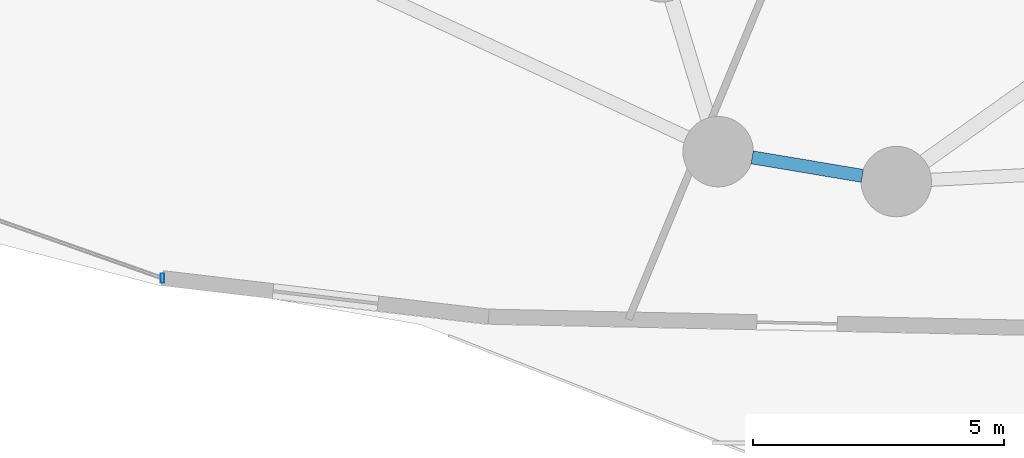
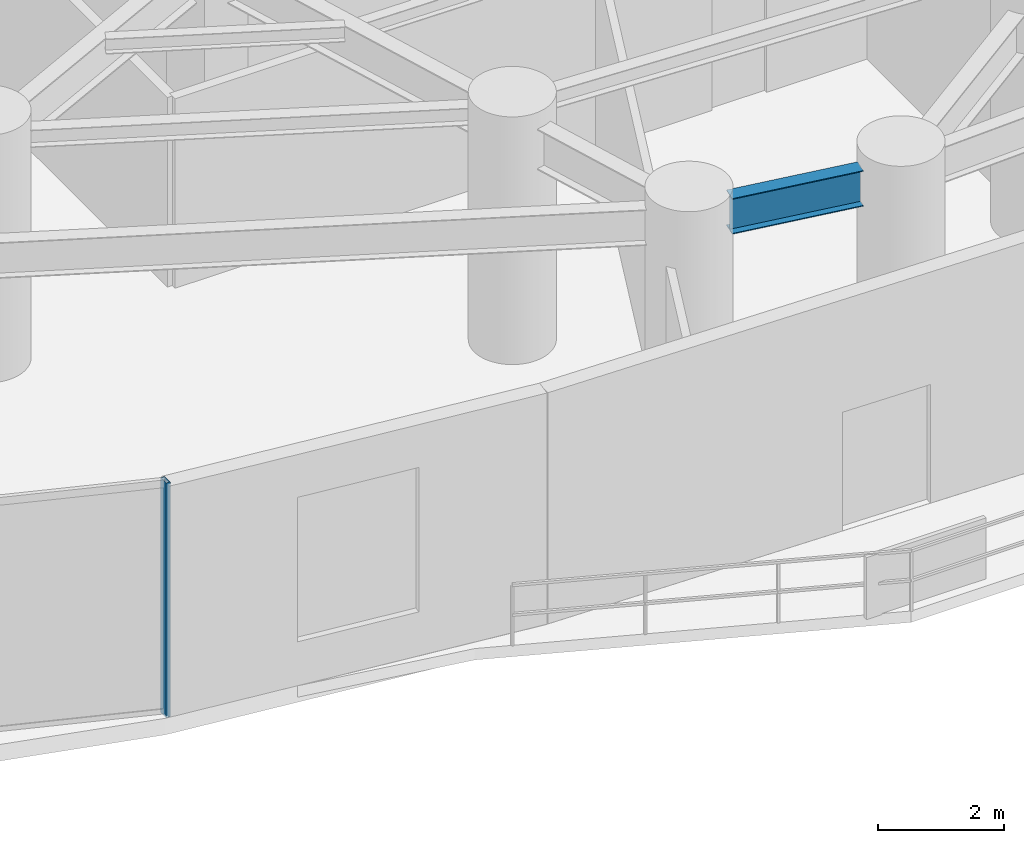
# One storey, part 5 of 30: 1 beam, 1 member, 1 element without a shape of its own.
"""IFC4 building model written with IfcOpenShell, lengths in metres."""

import ifcopenshell
import ifcopenshell.guid

model = None  # the IFC model being written
_history = None  # IfcOwnerHistory: only IFC2X3 demands one
_inside = {}  # id of a spatial element -> (the spatial element, [elements in it])
_under = {}  # id of a project, library or spatial element -> (it, [spatial elements below it])
_declared = {}  # id of a project -> (the project, [libraries it declares])
_typed = {}  # id of a type object -> (the type object, [elements of that type])
_made_of = {}  # id of a material, layer set ... -> (it, [elements and type objects made of it])


def new_model(schema):
    """Start an empty IFC model of exactly this schema.

    Asked for "IFC4X3", IfcOpenShell would pick the latest addendum, in which some entities
    have other attributes; the version numbers below select the first issue.
    IFC2X3 requires an IfcOwnerHistory on every rooted entity: one is made here for all.
    """
    global model, _history
    if schema == "IFC4X3":
        model = ifcopenshell.file(schema_version=(4, 3, 0, 0))
    else:
        model = ifcopenshell.file(schema=schema)
    _inside.clear()
    _under.clear()
    _declared.clear()
    _typed.clear()
    _made_of.clear()
    _history = None
    if model.schema == "IFC2X3":
        org = make("IfcOrganization", Name="unknown")
        user = make(
            "IfcPersonAndOrganization",
            ThePerson=make("IfcPerson", FamilyName="unknown"),
            TheOrganization=org,
        )
        app = make(
            "IfcApplication",
            ApplicationDeveloper=org,
            Version="unknown",
            ApplicationFullName="unknown",
            ApplicationIdentifier="unknown",
        )
        _history = make(
            "IfcOwnerHistory",
            OwningUser=user,
            OwningApplication=app,
            ChangeAction="ADDED",
            CreationDate=0,
        )
    return model


def make(cls, **values):
    """One entity of the class cls with the attributes given. An attribute that is None is left unset."""
    return model.create_entity(
        cls, **{name: value for name, value in values.items() if value is not None}
    )


def rooted(cls, **values):
    """An entity with a GlobalId (a new one), such as an element, a storey or a relation."""
    return make(cls, GlobalId=ifcopenshell.guid.new(), OwnerHistory=_history, **values)


def si_unit(unit_type, name, prefix=None):
    """IfcSIUnit, for example si_unit("LENGTHUNIT", "METRE", prefix="MILLI")."""
    return make("IfcSIUnit", UnitType=unit_type, Prefix=prefix, Name=name)


def assignment(units):
    """IfcUnitAssignment: the units of a project."""
    return None if units is None else make("IfcUnitAssignment", Units=units)


def point(xyz):
    """IfcCartesianPoint."""
    return None if xyz is None else make("IfcCartesianPoint", Coordinates=xyz)


def direction(xyz):
    """IfcDirection."""
    return None if xyz is None else make("IfcDirection", DirectionRatios=xyz)


def frame(location, z_axis=None, x_axis=None):
    """IfcAxis2Placement3D, a coordinate frame: its origin and axes. An axis left out is left unset."""
    return make(
        "IfcAxis2Placement3D",
        Location=point(location),
        Axis=direction(z_axis),
        RefDirection=direction(x_axis),
    )


def frame_2d(location, x_axis=None):
    """IfcAxis2Placement2D, a coordinate frame in the plane: its origin and x axis."""
    return make(
        "IfcAxis2Placement2D", Location=point(location), RefDirection=direction(x_axis)
    )


def origin():
    """The frame at (0, 0, 0) with its axes left unset."""
    return frame((0.0, 0.0, 0.0))


def origin_2d():
    """The frame at (0, 0) in the plane with its x axis left unset."""
    return frame_2d((0.0, 0.0))


def place(relative_to, where):
    """IfcLocalPlacement: puts the frame where relative to a parent placement (None: the world)."""
    return make(
        "IfcLocalPlacement", PlacementRelTo=relative_to, RelativePlacement=where
    )


def context(
    kind, dimensions, precision=None, world=None, true_north=None, identifier=None
):
    """IfcGeometricRepresentationContext, for example the 3D "Model" context."""
    return make(
        "IfcGeometricRepresentationContext",
        ContextIdentifier=identifier,
        ContextType=kind,
        CoordinateSpaceDimension=dimensions,
        Precision=precision,
        WorldCoordinateSystem=world,
        TrueNorth=true_north,
    )


def subcontext(parent, identifier, kind, view, scale=None):
    """IfcGeometricRepresentationSubContext, for example "Body" below "Model"."""
    return make(
        "IfcGeometricRepresentationSubContext",
        ContextIdentifier=identifier,
        ContextType=kind,
        ParentContext=parent,
        TargetScale=scale,
        TargetView=view,
    )


def project(units=None, contexts=None):
    """IfcProject with its units and contexts."""
    return rooted(
        "IfcProject",
        Name="project",
        RepresentationContexts=contexts,
        UnitsInContext=assignment(units),
    )


def spatial(cls, under=None, at=None, **own):
    """A site, building, storey or space (cls), placed at a placement, below another one or the project."""
    s = rooted(cls, ObjectPlacement=at, **own)
    if under is not None:
        _under.setdefault(under.id(), (under, []))[1].append(s)
    return s


def profile(cls, at=None, kind="AREA", **sizes):
    """A parametric profile (cls). Its sizes go by their IFC names, for example OverallWidth=200.0."""
    return make(cls, ProfileType=kind, Position=at, **sizes)


def hollow_rectangle(**sizes):
    """IfcRectangleHollowProfileDef."""
    return profile("IfcRectangleHollowProfileDef", **sizes)


def i_section(**sizes):
    """IfcIShapeProfileDef."""
    return profile("IfcIShapeProfileDef", **sizes)


def extrude(swept, where, along, depth):
    """IfcExtrudedAreaSolid: the profile swept, set in the frame where, extruded along a direction by depth."""
    return make(
        "IfcExtrudedAreaSolid",
        SweptArea=swept,
        Position=where,
        ExtrudedDirection=direction(along),
        Depth=depth,
    )


def shape(context_of_items, identifier, shape_type, items):
    """IfcShapeRepresentation: the items that make up one representation, for example the "Body"."""
    return make(
        "IfcShapeRepresentation",
        ContextOfItems=context_of_items,
        RepresentationIdentifier=identifier,
        RepresentationType=shape_type,
        Items=items,
    )


def material(Name=None, Category=None):
    """IfcMaterial."""
    return make("IfcMaterial", Name=Name, Category=Category)


def material_profile(
    of_material, cross_section, Name=None, Category=None, Priority=None
):
    """IfcMaterialProfile: a cross section and its material."""
    return make(
        "IfcMaterialProfile",
        Name=Name,
        Material=of_material,
        Profile=cross_section,
        Priority=Priority,
        Category=Category,
    )


def profile_set(profiles, Name=None, composite=None):
    """IfcMaterialProfileSet."""
    return make(
        "IfcMaterialProfileSet",
        Name=Name,
        MaterialProfiles=profiles,
        CompositeProfile=composite,
    )


def made_of(thing, what):
    """Note that an element or type object is made of a material, layer set ...; save() writes the relation."""
    if what is not None:
        _made_of.setdefault(what.id(), (what, []))[1].append(thing)
    return thing


def type_object(cls, material=None, **own):
    """A type object (cls), such as IfcWallType, which elements share."""
    return made_of(rooted(cls, **own), material)


def element(
    cls,
    number,
    at=None,
    inside=None,
    cuts=None,
    type_object=None,
    material=None,
    context=None,
    identifier="Body",
    shape_type=None,
    held_by="IfcProductDefinitionShape",
    body=None,
    shapes=None,
    **own,
):
    """One element of the class cls, such as IfcWall. Its Tag is "e" and its number.

    at: its placement. inside: the storey or other place that contains it. cuts: it is an
    opening in that element (IfcRelVoidsElement). A single representation is given by context,
    identifier, shape_type and body (its items); several are given by shapes. held_by: the class
    of the entity that holds the representations. save() writes the other relations.
    """
    e = rooted(cls, Tag="e%d" % number, ObjectPlacement=at, **own)
    if body is not None:
        shapes = [shape(context, identifier, shape_type, body)]
    if shapes is not None:
        e.Representation = make(held_by, Representations=shapes)
    if inside is not None:
        _inside.setdefault(inside.id(), (inside, []))[1].append(e)
    if cuts is not None:
        rooted(
            "IfcRelVoidsElement", RelatingBuildingElement=cuts, RelatedOpeningElement=e
        )
    if type_object is not None:
        _typed.setdefault(type_object.id(), (type_object, []))[1].append(e)
    return made_of(e, material)


def aggregate(whole, parts):
    """IfcRelAggregates: a whole, such as a stair, and the parts it consists of."""
    return rooted("IfcRelAggregates", RelatingObject=whole, RelatedObjects=parts)


def save(model, path):
    """Write the relations noted so far, then the file.

    IfcRelAggregates (storeys below a building ...), IfcRelContainedInSpatialStructure (elements
    in a storey), IfcRelDefinesByType, IfcRelAssociatesMaterial and IfcRelDeclares: one each for
    every whole, place, type object, material and project.
    """
    for whole, parts in _under.values():
        aggregate(whole, parts)
    for where, things in _inside.values():
        rooted(
            "IfcRelContainedInSpatialStructure",
            RelatedElements=things,
            RelatingStructure=where,
        )
    for kind, things in _typed.values():
        rooted("IfcRelDefinesByType", RelatedObjects=things, RelatingType=kind)
    for what, things in _made_of.values():
        rooted("IfcRelAssociatesMaterial", RelatedObjects=things, RelatingMaterial=what)
    for by, libraries in _declared.values():
        rooted("IfcRelDeclares", RelatingContext=by, RelatedDefinitions=libraries)
    model.write(path)


model = new_model("IFC4")

# Units and contexts
model_context = context("Model", 3, precision=1e-05, world=origin(), true_north=direction((0.0, 1.0)))
body_context = subcontext(model_context, "Body", "Model", "MODEL_VIEW")
ifc_project = project(units=[si_unit("LENGTHUNIT", "METRE"), si_unit("AREAUNIT", "SQUARE_METRE"), si_unit("VOLUMEUNIT", "CUBIC_METRE"), si_unit("PLANEANGLEUNIT", "RADIAN"), si_unit("MASSUNIT", "GRAM", prefix="KILO")], contexts=[model_context])

# Site, building, storey
site_placement = place(None, origin())
site = spatial("IfcSite", under=ifc_project, at=site_placement, CompositionType="ELEMENT")
building_placement = place(site_placement, origin())
building = spatial("IfcBuilding", under=site, at=building_placement, Name="Vorneva Point Tower", CompositionType="ELEMENT")
storey_placement = place(building_placement, frame((0.0, 0.0, 9.60009765625)))
storey = spatial("IfcBuildingStorey", under=building, at=storey_placement, Name="L02", CompositionType="ELEMENT", Elevation=9.60009765625)

# Beam
ifc_material_1 = material(Name="Steel S355", Category="steel")
ifc_material_profile_1 = material_profile(ifc_material_1, i_section(OverallWidth=0.260009765625, OverallDepth=0.69091796875, WebThickness=0.011962890625, FlangeThickness=0.015380859375, at=origin_2d()), Name="70B1")
ifc_profile_set_1 = profile_set([ifc_material_profile_1], Name="Steel S355")
beam_type = type_object("IfcBeamType", Name="BM-SPN-70B1", PredefinedType="SPANDREL", material=ifc_profile_set_1)
beam_placement = place(storey_placement, frame((30.972412109375, 6.32177734375, 4.134521484375), z_axis=(0.986173405791, -0.165716666964, 0.0), x_axis=(0.165716666964, 0.986173405791, 0.0)))
element("IfcBeam", 1, at=beam_placement, inside=storey, type_object=beam_type, Name="L02 Perimeter Spandrel Ring Beam 12", PredefinedType="SPANDREL", context=body_context, shape_type="SweptSolid", body=[
    extrude(i_section(OverallWidth=0.260009765625, OverallDepth=0.69091796875, WebThickness=0.011962890625, FlangeThickness=0.015380859375, at=origin_2d()), origin(), (0.0, 0.0, 1.0), 2.22314453125),
])

# Curtain wall, member
ifc_material_2 = material(Name="Pale anodised aluminium", Category="aluminium")
curtain_wall_type = type_object("IfcCurtainWallType", Name="CW-POD-SYS", PredefinedType="NOTDEFINED", material=ifc_material_2)
curtain_wall_placement = place(storey_placement, origin())
curtain_wall = element("IfcCurtainWall", 2, at=curtain_wall_placement, inside=storey, type_object=curtain_wall_type, Name="L02 Unitised Curtain Wall CW-L02-R03", PredefinedType="NOTDEFINED")
ifc_material_profile_2 = material_profile(ifc_material_2, hollow_rectangle(XDim=0.074951171875, YDim=0.179931640625, WallThickness=0.00390625, at=origin_2d()), Name="AL-MUL 180x75x4")
ifc_profile_set_2 = profile_set([ifc_material_profile_2], Name="Pale anodised aluminium")
member_type = type_object("IfcMemberType", Name="CW-MUL-180", PredefinedType="MULLION", material=ifc_profile_set_2)
member_placement = place(storey_placement, frame((19.24609375, 3.9189453125, -0.0400390625), z_axis=(0.0, 0.0, 1.0), x_axis=(1.0, 0.0, 0.0)))
member = element("IfcMember", 3, at=member_placement, type_object=member_type, Name="CW-L02-R03 Mullion 06", PredefinedType="MULLION", context=body_context, shape_type="SweptSolid", body=[
    extrude(hollow_rectangle(XDim=0.074951171875, YDim=0.179931640625, WallThickness=0.00390625, at=origin_2d()), origin(), (0.0, 0.0, 1.0), 4.550048828125),
])
aggregate(curtain_wall, [member])

save(model, "model.ifc")
